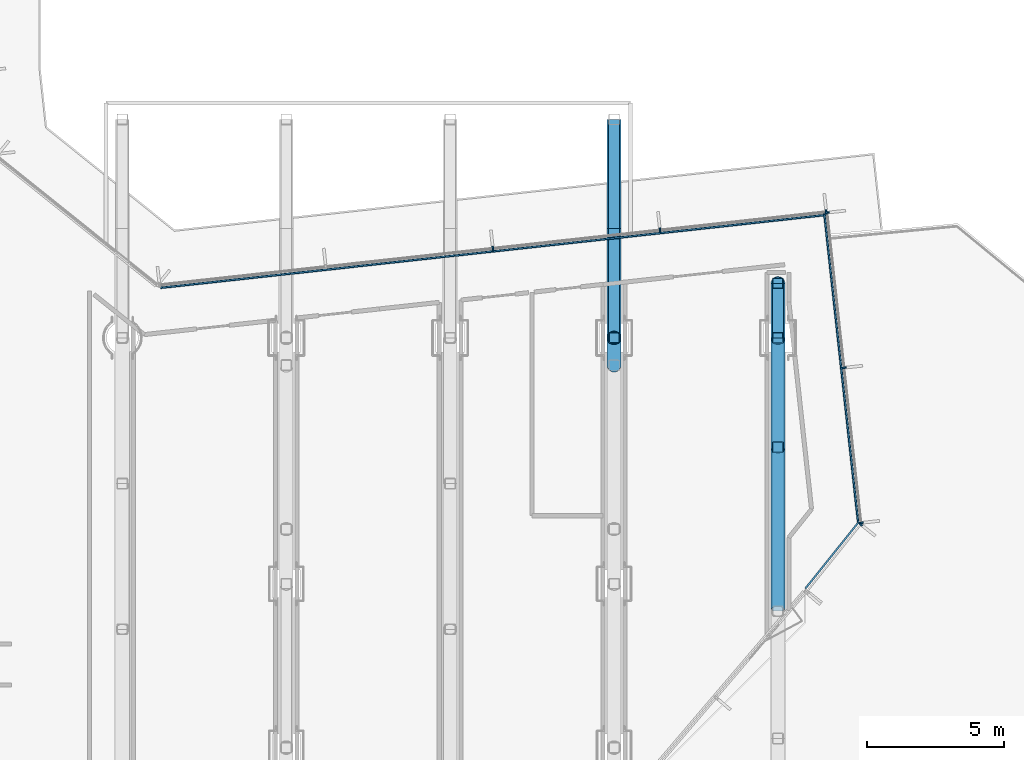
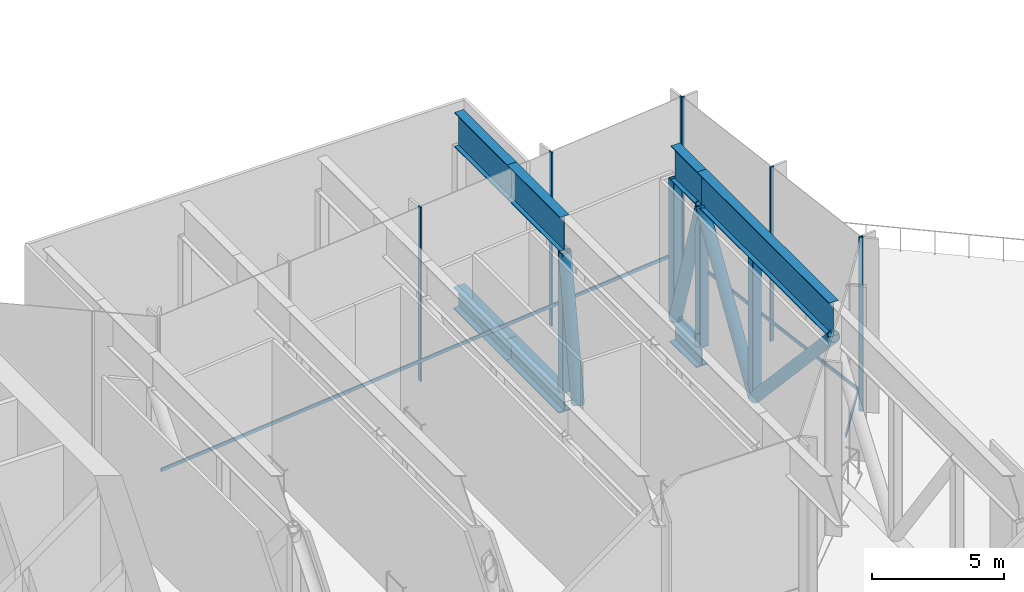
# One storey, part 6 of 25: 25 members, 3 elements without a shape of their own.
"""IFC4 building model written with IfcOpenShell, lengths in metres."""

from ifc_helpers import new_model, si_unit, direction, frame, origin, origin_2d, place, context, subcontext, project, spatial, rectangle, hollow_rectangle, hollow_circle, i_section, extrude, material, layer, layer_set, material_profile, profile_set, type_object, element, aggregate, save


model = new_model("IFC4")

# Units and contexts
model_context = context("Model", 3, precision=1e-05, world=origin(), true_north=direction((0.0, 1.0)))
body_context = subcontext(model_context, "Body", "Model", "MODEL_VIEW")
ifc_project = project(units=[si_unit("LENGTHUNIT", "METRE"), si_unit("AREAUNIT", "SQUARE_METRE"), si_unit("VOLUMEUNIT", "CUBIC_METRE"), si_unit("PLANEANGLEUNIT", "RADIAN"), si_unit("MASSUNIT", "GRAM", prefix="KILO")], contexts=[model_context])

# Site, building, storey
site_placement = place(None, origin())
site = spatial("IfcSite", under=ifc_project, at=site_placement, CompositionType="ELEMENT")
building_placement = place(site_placement, origin())
building = spatial("IfcBuilding", under=site, at=building_placement, Name="Welwitschia Terrace Campus", CompositionType="ELEMENT")
storey_placement = place(building_placement, frame((0.0, 0.0, 79.39990234375)))
storey = spatial("IfcBuildingStorey", under=building, at=storey_placement, Name="L18", CompositionType="ELEMENT", Elevation=79.39990234375)

# Curtain wall, member
ifc_material_1 = material(Name="Bronze anodised aluminium", Category="aluminium")
ifc_layer = layer(ifc_material_1, 0.159912109375)
ifc_layer_set = layer_set([ifc_layer], Name="Bronze anodised aluminium")
curtain_wall_type = type_object("IfcCurtainWallType", Name="Curtain wall CW3 commons 6000", PredefinedType="NOTDEFINED", material=ifc_layer_set)
curtain_wall_1_placement = place(storey_placement, origin())
curtain_wall_1 = element("IfcCurtainWall", 1, at=curtain_wall_1_placement, inside=storey, type_object=curtain_wall_type, Name="CW L18.10.0", PredefinedType="NOTDEFINED")
ifc_material_2 = material(Name="Bronze anodised aluminium", Category="aluminium")
ifc_material_profile_1 = material_profile(ifc_material_2, rectangle(XDim=0.159912109375, YDim=0.06005859375, at=origin_2d()))
ifc_profile_set_1 = profile_set([ifc_material_profile_1], Name="Bronze anodised aluminium")
member_type_1 = type_object("IfcMemberType", Name="Mullion 60x160", PredefinedType="MULLION", material=ifc_profile_set_1)
member_1_placement = place(storey_placement, frame((57.031005859375, 13.174560546875, 0.0), z_axis=(0.0, 0.0, 1.0), x_axis=(-0.779884483093, 0.625923472184, 0.0)))
member_1 = element("IfcMember", 2, at=member_1_placement, type_object=member_type_1, Name="Mullion L18.10.0.1", PredefinedType="MULLION", context=body_context, shape_type="SweptSolid", body=[
    extrude(rectangle(XDim=0.159912109375, YDim=0.06005859375, at=origin_2d()), origin(), (0.0, 0.0, 1.0), 8.050048828125),
])

# Curtain wall, members
curtain_wall_2_placement = place(storey_placement, origin())
curtain_wall_2 = element("IfcCurtainWall", 3, at=curtain_wall_2_placement, inside=storey, type_object=curtain_wall_type, Name="CW L18.11.0", PredefinedType="NOTDEFINED")
member_2_placement = place(storey_placement, frame((57.046630859375, 13.227783203125, 0.0), z_axis=(0.0, 0.0, 1.0), x_axis=(-0.994056338222, -0.108866874852, 0.0)))
member_2 = element("IfcMember", 4, at=member_2_placement, type_object=member_type_1, Name="Mullion L18.11.0.0", PredefinedType="MULLION", context=body_context, shape_type="SweptSolid", body=[
    extrude(rectangle(XDim=0.159912109375, YDim=0.06005859375, at=origin_2d()), origin(), (0.0, 0.0, 1.0), 8.050048828125),
])
member_3_placement = place(storey_placement, frame((56.4248046875, 18.90625, 0.0), z_axis=(0.0, 0.0, 1.0), x_axis=(-0.994056338222, -0.108866874852, 0.0)))
member_3 = element("IfcMember", 5, at=member_3_placement, type_object=member_type_1, Name="Mullion L18.11.0.1", PredefinedType="MULLION", context=body_context, shape_type="SweptSolid", body=[
    extrude(rectangle(XDim=0.159912109375, YDim=0.06005859375, at=origin_2d()), origin(), (0.0, 0.0, 1.0), 8.050048828125),
])
member_4_placement = place(storey_placement, frame((55.802734375, 24.584716796875, 0.0), z_axis=(0.0, 0.0, 1.0), x_axis=(-0.994056338222, -0.108866874852, 0.0)))
member_4 = element("IfcMember", 6, at=member_4_placement, type_object=member_type_1, Name="Mullion L18.11.0.2", PredefinedType="MULLION", context=body_context, shape_type="SweptSolid", body=[
    extrude(rectangle(XDim=0.159912109375, YDim=0.06005859375, at=origin_2d()), origin(), (0.0, 0.0, 1.0), 8.050048828125),
])

curtain_wall_3_placement = place(storey_placement, origin())
curtain_wall_3 = element("IfcCurtainWall", 7, at=curtain_wall_3_placement, inside=storey, type_object=curtain_wall_type, Name="CW L18.12.0", PredefinedType="NOTDEFINED")
member_5_placement = place(storey_placement, frame((55.769775390625, 24.611328125, 0.0), z_axis=(0.0, 0.0, 1.0), x_axis=(0.108866874852, -0.994056338222, 0.0)))
member_5 = element("IfcMember", 8, at=member_5_placement, type_object=member_type_1, Name="Mullion L18.12.0.0", PredefinedType="MULLION", context=body_context, shape_type="SweptSolid", body=[
    extrude(rectangle(XDim=0.159912109375, YDim=0.06005859375, at=origin_2d()), origin(), (0.0, 0.0, 1.0), 8.050048828125),
])
member_6_placement = place(storey_placement, frame((49.682373046875, 23.944580078125, 0.0), z_axis=(0.0, 0.0, 1.0), x_axis=(0.108866874852, -0.994056338222, 0.0)))
member_6 = element("IfcMember", 9, at=member_6_placement, type_object=member_type_1, Name="Mullion L18.12.0.1", PredefinedType="MULLION", context=body_context, shape_type="SweptSolid", body=[
    extrude(rectangle(XDim=0.159912109375, YDim=0.06005859375, at=origin_2d()), origin(), (0.0, 0.0, 1.0), 8.050048828125),
])
member_7_placement = place(storey_placement, frame((43.565185546875, 23.274658203125, 0.0), z_axis=(0.0, 0.0, 1.0), x_axis=(0.108866874852, -0.994056338222, 0.0)))
member_7 = element("IfcMember", 10, at=member_7_placement, type_object=member_type_1, Name="Mullion L18.12.0.2", PredefinedType="MULLION", context=body_context, shape_type="SweptSolid", body=[
    extrude(rectangle(XDim=0.159912109375, YDim=0.06005859375, at=origin_2d()), origin(), (0.0, 0.0, 1.0), 8.050048828125),
])

# Members
ifc_material_3 = material(Name="Steel S355", Category="steel")
ifc_material_profile_2 = material_profile(ifc_material_3, i_section(OverallWidth=0.5, OverallDepth=1.0, WebThickness=0.0400390625, FlangeThickness=0.0400390625, at=origin_2d()))
ifc_profile_set_2 = profile_set([ifc_material_profile_2], Name="Steel S355")
member_type_2 = type_object("IfcMemberType", Name="Transfer truss C1 bottom cantilever chord WI 1000x500x40x40", PredefinedType="CHORD", material=ifc_profile_set_2)
for number, where, z_axis, x_axis, name in (
    (11, (48.0, 20.0, -0.5), (0.0, 1.0, 0.0), (-1.0, 0.0, 0.0), "Truss bottom chord"),
    (12, (48.0, 24.0, -0.5), (0.0, 1.0, 0.0), (-1.0, 0.0, 0.0), "Truss bottom chord"),
):
    element("IfcMember", number, at=place(storey_placement, frame(where, z_axis=z_axis, x_axis=x_axis)), inside=storey, type_object=member_type_2, Name=name, PredefinedType="CHORD", context=body_context, shape_type="SweptSolid", body=[
        extrude(i_section(OverallWidth=0.5, OverallDepth=1.0, WebThickness=0.0400390625, FlangeThickness=0.0400390625, at=origin_2d()), origin(), (0.0, 0.0, 1.0), 4.0),
    ])
member_8_placement = place(storey_placement, frame((54.0, 20.0, -0.5), z_axis=(0.0, 1.0, 0.0), x_axis=(-1.0, 0.0, 0.0)))
element("IfcMember", 13, at=member_8_placement, inside=storey, type_object=member_type_2, Name="Truss bottom chord", PredefinedType="CHORD", context=body_context, shape_type="SweptSolid", body=[
    extrude(i_section(OverallWidth=0.5, OverallDepth=1.0, WebThickness=0.0400390625, FlangeThickness=0.0400390625, at=origin_2d()), origin(), (0.0, 0.0, 1.0), 2.0),
])
ifc_material_4 = material(Name="Steel S355", Category="steel")
ifc_material_profile_3 = material_profile(ifc_material_4, hollow_circle(Radius=0.25390625, WallThickness=0.02490234375, at=origin_2d()))
ifc_profile_set_3 = profile_set([ifc_material_profile_3], Name="Steel S355")
member_type_3 = type_object("IfcMemberType", Name="Transfer truss C1 diagonal CHS 508x25", PredefinedType="BRACE", material=ifc_profile_set_3)
member_9_placement = place(storey_placement, frame((48.0, 19.0, 0.0), z_axis=(0.0, 0.153203827501, 0.988194610003), x_axis=(-1.0, 0.0, 0.0)))
element("IfcMember", 14, at=member_9_placement, inside=storey, type_object=member_type_3, Name="Truss diagonal", PredefinedType="BRACE", context=body_context, shape_type="SweptSolid", body=[
    extrude(hollow_circle(Radius=0.25390625, WallThickness=0.02490234375, at=origin_2d()), origin(), (0.0, 0.0, 1.0), 6.52734375),
])
member_10_placement = place(storey_placement, frame((54.0, 16.0, 0.0), z_axis=(0.0, -0.681092885831, 0.73219702326), x_axis=(1.0, 0.0, 0.0)))
element("IfcMember", 15, at=member_10_placement, inside=storey, type_object=member_type_3, Name="Truss diagonal", PredefinedType="BRACE", context=body_context, shape_type="SweptSolid", body=[
    extrude(hollow_circle(Radius=0.25390625, WallThickness=0.02490234375, at=origin_2d()), origin(), (0.0, 0.0, 1.0), 8.809326171875),
])
member_11_placement = place(storey_placement, frame((54.0, 16.0, 0.0), z_axis=(0.0, 0.527023313392, 0.849850826405), x_axis=(-1.0, 0.0, 0.0)))
element("IfcMember", 16, at=member_11_placement, inside=storey, type_object=member_type_3, Name="Truss diagonal", PredefinedType="BRACE", context=body_context, shape_type="SweptSolid", body=[
    extrude(hollow_circle(Radius=0.25390625, WallThickness=0.02490234375, at=origin_2d()), origin(), (0.0, 0.0, 1.0), 7.58984375),
])
member_12_placement = place(storey_placement, frame((54.0, 22.0, 0.0), z_axis=(0.0, -0.296158139039, 0.955138920095), x_axis=(1.0, 0.0, 0.0)))
element("IfcMember", 17, at=member_12_placement, inside=storey, type_object=member_type_3, Name="Truss diagonal", PredefinedType="BRACE", context=body_context, shape_type="SweptSolid", body=[
    extrude(hollow_circle(Radius=0.25390625, WallThickness=0.02490234375, at=origin_2d()), origin(), (0.0, 0.0, 1.0), 6.753173828125),
])
ifc_material_5 = material(Name="Steel S355", Category="steel")
ifc_material_profile_4 = material_profile(ifc_material_5, hollow_rectangle(XDim=0.39990234375, YDim=0.39990234375, WallThickness=0.02490234375, InnerFilletRadius=0.02490234375, OuterFilletRadius=0.03759765625, at=origin_2d()))
ifc_profile_set_4 = profile_set([ifc_material_profile_4], Name="Steel S355")
member_type_4 = type_object("IfcMemberType", Name="Transfer truss C1 post SHS 400x400x25", PredefinedType="POST", material=ifc_profile_set_4)
for number, where, z_axis, x_axis, name in (
    (18, (48.0, 20.0, 0.0), (0.0, 0.0, 1.0), (1.0, 0.0, 0.0), "Truss post"),
    (19, (54.0, 16.0, 0.0), (0.0, 0.0, 1.0), (1.0, 0.0, 0.0), "Truss post"),
    (20, (54.0, 20.0, 0.0), (0.0, 0.0, 1.0), (1.0, 0.0, 0.0), "Truss post"),
    (21, (54.0, 22.0, 0.0), (0.0, 0.0, 1.0), (1.0, 0.0, 0.0), "Truss post"),
):
    element("IfcMember", number, at=place(storey_placement, frame(where, z_axis=z_axis, x_axis=x_axis)), inside=storey, type_object=member_type_4, Name=name, PredefinedType="POST", context=body_context, shape_type="SweptSolid", body=[
        extrude(hollow_rectangle(XDim=0.39990234375, YDim=0.39990234375, WallThickness=0.02490234375, InnerFilletRadius=0.02490234375, OuterFilletRadius=0.03759765625, at=origin_2d()), origin(), (0.0, 0.0, 1.0), 6.4501953125),
    ])
ifc_material_6 = material(Name="Steel S355", Category="steel")
ifc_material_profile_5 = material_profile(ifc_material_6, i_section(OverallWidth=0.39990234375, OverallDepth=1.60009765625, WebThickness=0.0400390625, FlangeThickness=0.0400390625, at=origin_2d()))
ifc_profile_set_5 = profile_set([ifc_material_profile_5], Name="Steel S355")
member_type_5 = type_object("IfcMemberType", Name="Transfer truss C1 top cantilever chord WI 1600x400x40x40", PredefinedType="CHORD", material=ifc_profile_set_5)
for number, where, z_axis, x_axis, name in (
    (22, (48.0, 20.0, 7.25), (0.0, 1.0, 0.0), (-1.0, 0.0, 0.0), "Truss top chord"),
    (23, (48.0, 24.0, 7.25), (0.0, 1.0, 0.0), (-1.0, 0.0, 0.0), "Truss top chord"),
):
    element("IfcMember", number, at=place(storey_placement, frame(where, z_axis=z_axis, x_axis=x_axis)), inside=storey, type_object=member_type_5, Name=name, PredefinedType="CHORD", context=body_context, shape_type="SweptSolid", body=[
        extrude(i_section(OverallWidth=0.39990234375, OverallDepth=1.60009765625, WebThickness=0.0400390625, FlangeThickness=0.0400390625, at=origin_2d()), origin(), (0.0, 0.0, 1.0), 4.0),
    ])
member_13_placement = place(storey_placement, frame((54.0, 20.0, 7.25), z_axis=(0.0, 1.0, 0.0), x_axis=(-1.0, 0.0, 0.0)))
element("IfcMember", 24, at=member_13_placement, inside=storey, type_object=member_type_5, Name="Truss top chord", PredefinedType="CHORD", context=body_context, shape_type="SweptSolid", body=[
    extrude(i_section(OverallWidth=0.39990234375, OverallDepth=1.60009765625, WebThickness=0.0400390625, FlangeThickness=0.0400390625, at=origin_2d()), origin(), (0.0, 0.0, 1.0), 2.0),
])
ifc_material_7 = material(Name="Steel S355", Category="steel")
ifc_material_profile_6 = material_profile(ifc_material_7, i_section(OverallWidth=0.39990234375, OverallDepth=1.60009765625, WebThickness=0.030029296875, FlangeThickness=0.0400390625, at=origin_2d()))
ifc_profile_set_6 = profile_set([ifc_material_profile_6], Name="Steel S355")
member_type_6 = type_object("IfcMemberType", Name="Transfer truss C1 top chord WI 1600x400x30x40", PredefinedType="CHORD", material=ifc_profile_set_6)
member_14_placement = place(storey_placement, frame((54.0, 10.0, 7.25), z_axis=(0.0, 1.0, 0.0), x_axis=(-1.0, 0.0, 0.0)))
element("IfcMember", 25, at=member_14_placement, inside=storey, type_object=member_type_6, Name="Truss top chord", PredefinedType="CHORD", context=body_context, shape_type="SweptSolid", body=[
    extrude(i_section(OverallWidth=0.39990234375, OverallDepth=1.60009765625, WebThickness=0.030029296875, FlangeThickness=0.0400390625, at=origin_2d()), origin(), (0.0, 0.0, 1.0), 10.0),
])

# Member
ifc_material_8 = material(Name="Bronze anodised aluminium", Category="aluminium")
ifc_material_profile_7 = material_profile(ifc_material_8, rectangle(XDim=0.06005859375, YDim=0.14990234375, at=origin_2d()))
ifc_profile_set_7 = profile_set([ifc_material_profile_7], Name="Bronze anodised aluminium")
member_type_7 = type_object("IfcMemberType", Name="Transom 60x150", PredefinedType="USERDEFINED", material=ifc_profile_set_7)
member_15_placement = place(storey_placement, frame((55.001708984375, 10.82177734375, 1.0), z_axis=(0.625933564491, 0.779876383053, 0.0), x_axis=(-0.779876383053, 0.625933564491, 0.0)))
member_15 = element("IfcMember", 26, at=member_15_placement, type_object=member_type_7, Name="Transom L18.10.0", ObjectType="TRANSOM", PredefinedType="USERDEFINED", context=body_context, shape_type="SweptSolid", body=[
    extrude(rectangle(XDim=0.06005859375, YDim=0.14990234375, at=origin_2d()), origin(), (0.0, 0.0, 1.0), 3.0751953125),
])

aggregate(curtain_wall_1, [member_1, member_15])

member_16_placement = place(storey_placement, frame((56.93408203125, 13.24560546875, 1.0), z_axis=(-0.108870542559, 0.994055936536, 0.0), x_axis=(-0.994055936536, -0.108870542559, 0.0)))
member_16 = element("IfcMember", 27, at=member_16_placement, type_object=member_type_7, Name="Transom L18.11.0", ObjectType="TRANSOM", PredefinedType="USERDEFINED", context=body_context, shape_type="SweptSolid", body=[
    extrude(rectangle(XDim=0.06005859375, YDim=0.14990234375, at=origin_2d()), origin(), (0.0, 0.0, 1.0), 11.364990234375),
])

aggregate(curtain_wall_2, [member_2, member_3, member_4, member_16])

member_17_placement = place(storey_placement, frame((55.751953125, 24.498779296875, 1.0), z_axis=(-0.994056196347, -0.108868170297, 0.0), x_axis=(0.108868170297, -0.994056196347, 0.0)))
member_17 = element("IfcMember", 28, at=member_17_placement, type_object=member_type_7, Name="Transom L18.12.0", ObjectType="TRANSOM", PredefinedType="USERDEFINED", context=body_context, shape_type="SweptSolid", body=[
    extrude(rectangle(XDim=0.06005859375, YDim=0.14990234375, at=origin_2d()), origin(), (0.0, 0.0, 1.0), 24.4951171875),
])

aggregate(curtain_wall_3, [member_5, member_6, member_7, member_17])

save(model, "model.ifc")
